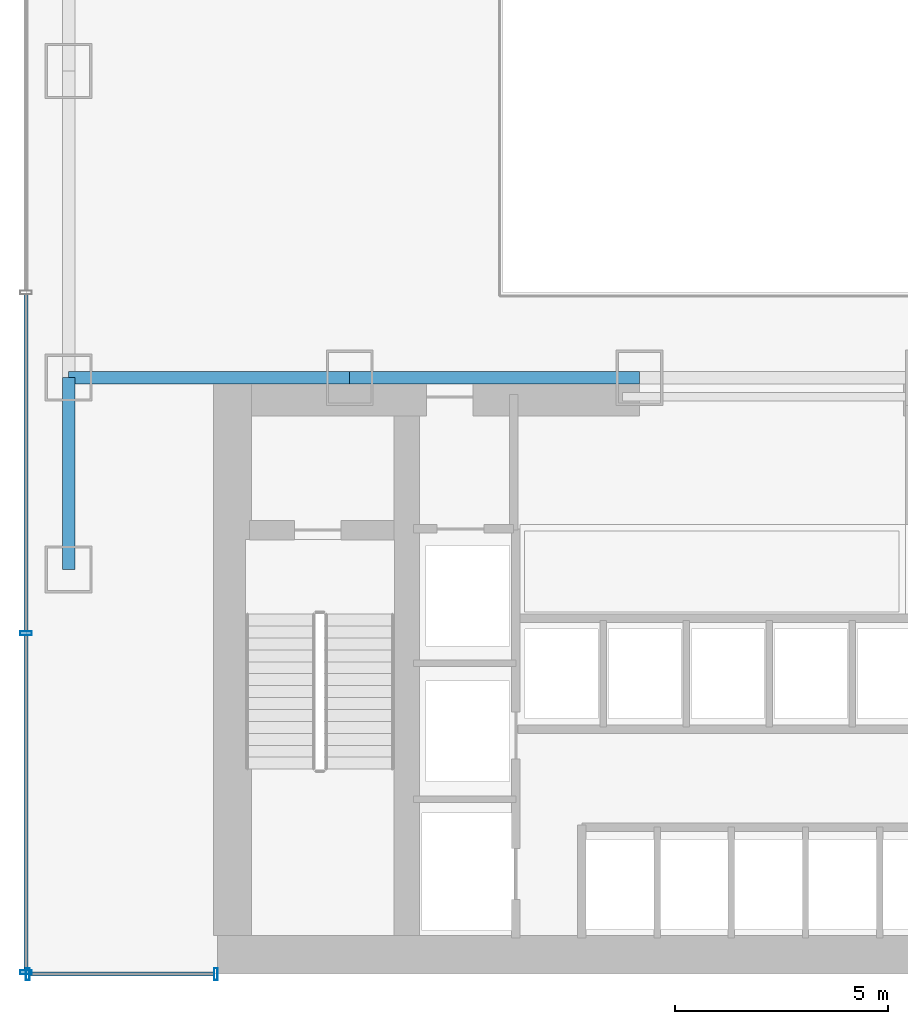
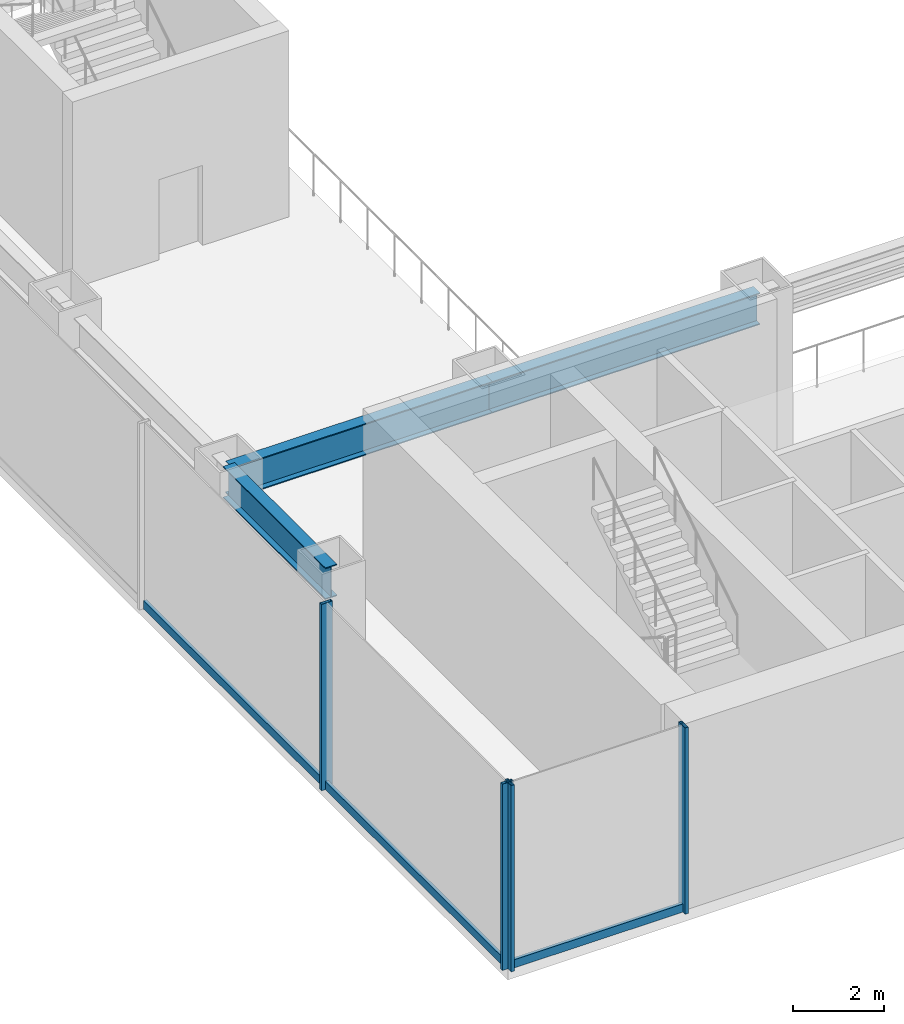
# One storey, part 6 of 39: 7 members, 3 beams, 2 elements without a shape of their own.
"""IFC4 building model written with IfcOpenShell, lengths in metres."""

from ifc_helpers import new_model, si_unit, derived_unit, direction, frame, origin, origin_2d, place, context, subcontext, project, spatial, hollow_rectangle, i_section, extrude, source, transform, mapped, material, material_profile, profile_set, type_object, element, aggregate, save


model = new_model("IFC4")

# Units and contexts
model_context = context("Model", 3, precision=1e-05, world=origin(), true_north=direction((0.0, 1.0)))
body_context = subcontext(model_context, "Body", "Model", "MODEL_VIEW")
ifc_project = project(units=[si_unit("LENGTHUNIT", "METRE"), si_unit("AREAUNIT", "SQUARE_METRE"), si_unit("VOLUMEUNIT", "CUBIC_METRE"), si_unit("PLANEANGLEUNIT", "RADIAN"), si_unit("MASSUNIT", "GRAM", prefix="KILO"), derived_unit("THERMALTRANSMITTANCEUNIT", [(si_unit("POWERUNIT", "WATT"), 1), (si_unit("LENGTHUNIT", "METRE"), -2), (si_unit("THERMODYNAMICTEMPERATUREUNIT", "KELVIN"), -1)])], contexts=[model_context])

# Site, building, storey
site_placement = place(None, origin())
site = spatial("IfcSite", under=ifc_project, at=site_placement, CompositionType="ELEMENT")
building_placement = place(site_placement, origin())
building = spatial("IfcBuilding", under=site, at=building_placement, Name="Skarnbrae Concourse Arena and Tower", CompositionType="ELEMENT")
storey_placement = place(building_placement, frame((0.0, 0.0, 16.0)))
storey = spatial("IfcBuildingStorey", under=building, at=storey_placement, Name="L03", CompositionType="ELEMENT", Elevation=16.0)

# Beams
ifc_material_1 = material(Name="Steel CSA G40.21 350W", Category="steel")
ifc_material_profile_1 = material_profile(ifc_material_1, i_section(OverallWidth=0.2939453125, OverallDepth=0.85107421875, WebThickness=0.01611328125, FlangeThickness=0.02685546875, at=origin_2d()), Name="W840X226")
ifc_profile_set_1 = profile_set([ifc_material_profile_1], Name="Steel CSA G40.21 350W")
beam_type = type_object("IfcBeamType", Name="BM-GIRD-W840X226", PredefinedType="BEAM", material=ifc_profile_set_1)
shared_shape_1 = source(origin(), body_context, "Body", "SweptSolid", [
    extrude(i_section(OverallWidth=0.2939453125, OverallDepth=0.85107421875, WebThickness=0.01611328125, FlangeThickness=0.02685546875, at=origin_2d()), origin(), (0.0, 0.0, 1.0), 6.60009765625),
])
beam_1_placement = place(storey_placement, frame((1.0, 14.0, 4.2744140625), z_axis=(1.0, 0.0, 0.0), x_axis=(0.0, 1.0, 0.0)))
element("IfcBeam", 1, at=beam_1_placement, inside=storey, type_object=beam_type, Name="L03 Podium south spine girder 1", PredefinedType="BEAM", context=body_context, shape_type="MappedRepresentation", body=[
    mapped(shared_shape_1, transform((0.0, 0.0, 0.0))),
])
shared_shape_2 = source(origin(), body_context, "Body", "SweptSolid", [
    extrude(i_section(OverallWidth=0.2939453125, OverallDepth=0.85107421875, WebThickness=0.01611328125, FlangeThickness=0.02685546875, at=origin_2d()), origin(), (0.0, 0.0, 1.0), 6.7998046875),
])
beam_2_placement = place(storey_placement, frame((7.60009765625, 14.0, 4.2744140625), z_axis=(1.0, 0.0, 0.0), x_axis=(0.0, 1.0, 0.0)))
element("IfcBeam", 2, at=beam_2_placement, inside=storey, type_object=beam_type, Name="L03 Podium south spine girder 2", PredefinedType="BEAM", context=body_context, shape_type="MappedRepresentation", body=[
    mapped(shared_shape_2, transform((0.0, 0.0, 0.0))),
])
shared_shape_3 = source(origin(), body_context, "Body", "SweptSolid", [
    extrude(i_section(OverallWidth=0.2939453125, OverallDepth=0.85107421875, WebThickness=0.01611328125, FlangeThickness=0.02685546875, at=origin_2d()), origin(), (0.0, 0.0, 1.0), 4.5),
])
beam_3_placement = place(storey_placement, frame((1.0, 9.5, 4.2744140625), z_axis=(0.0, 1.0, 0.0), x_axis=(-1.0, 0.0, 0.0)))
element("IfcBeam", 3, at=beam_3_placement, inside=storey, type_object=beam_type, Name="L03 Podium west girder 1", PredefinedType="BEAM", context=body_context, shape_type="MappedRepresentation", body=[
    mapped(shared_shape_3, transform((0.0, 0.0, 0.0))),
])

# Curtain wall, members
ifc_material_2 = material(Name="Bronze anodised aluminium 6063-T6", Category="aluminium")
curtain_wall_type = type_object("IfcCurtainWallType", Name="CW-SYS-01-PODIUM", PredefinedType="USERDEFINED", material=ifc_material_2)
curtain_wall_1_placement = place(storey_placement, origin())
curtain_wall_1 = element("IfcCurtainWall", 4, at=curtain_wall_1_placement, inside=storey, type_object=curtain_wall_type, Name="L03 Unitised curtain wall CW-L03-SW", ObjectType="UNITISED CURTAIN WALL", PredefinedType="USERDEFINED")
ifc_material_profile_2 = material_profile(ifc_material_2, hollow_rectangle(XDim=0.0849609375, YDim=0.280029296875, WallThickness=0.006103515625, at=origin_2d()), Name="ALU-MULL-85X280")
ifc_profile_set_2 = profile_set([ifc_material_profile_2], Name="Bronze anodised aluminium 6063-T6")
member_type_1 = type_object("IfcMemberType", Name="CWM-CW-01", PredefinedType="MULLION", material=ifc_profile_set_2)
shared_shape_4 = source(origin(), body_context, "Body", "SweptSolid", [
    extrude(hollow_rectangle(XDim=0.0849609375, YDim=0.280029296875, WallThickness=0.006103515625, at=origin_2d()), origin(), (0.0, 0.0, 1.0), 5.0),
])
member_1_placement = place(storey_placement, frame((0.04248046875, 0.0, 0.0), z_axis=(0.0, 0.0, 1.0), x_axis=(1.0, 0.0, 0.0)))
member_1 = element("IfcMember", 5, at=member_1_placement, type_object=member_type_1, Name="CW-L03-SW Mullion 1", PredefinedType="MULLION", context=body_context, shape_type="MappedRepresentation", body=[
    mapped(shared_shape_4, transform((0.0, 0.0, 0.0))),
])
member_2_placement = place(storey_placement, frame((4.45751953125, 0.0, 0.0), z_axis=(0.0, 0.0, 1.0), x_axis=(1.0, 0.0, 0.0)))
member_2 = element("IfcMember", 6, at=member_2_placement, type_object=member_type_1, Name="CW-L03-SW Mullion 2", PredefinedType="MULLION", context=body_context, shape_type="MappedRepresentation", body=[
    mapped(shared_shape_4, transform((0.0, 0.0, 0.0))),
])

curtain_wall_2_placement = place(storey_placement, origin())
curtain_wall_2 = element("IfcCurtainWall", 7, at=curtain_wall_2_placement, inside=storey, type_object=curtain_wall_type, Name="L03 Unitised curtain wall CW-L03-W", ObjectType="UNITISED CURTAIN WALL", PredefinedType="USERDEFINED")
member_3_placement = place(storey_placement, frame((0.0, 8.0, 0.0), z_axis=(0.0, 0.0, 1.0), x_axis=(0.0, -1.0, 0.0)))
member_3 = element("IfcMember", 8, at=member_3_placement, type_object=member_type_1, Name="CW-L03-W Mullion 7", PredefinedType="MULLION", context=body_context, shape_type="MappedRepresentation", body=[
    mapped(shared_shape_4, transform((0.0, 0.0, 0.0))),
])
member_4_placement = place(storey_placement, frame((0.0, 0.04248046875, 0.0), z_axis=(0.0, 0.0, 1.0), x_axis=(0.0, -1.0, 0.0)))
member_4 = element("IfcMember", 9, at=member_4_placement, type_object=member_type_1, Name="CW-L03-W Mullion 8", PredefinedType="MULLION", context=body_context, shape_type="MappedRepresentation", body=[
    mapped(shared_shape_4, transform((0.0, 0.0, 0.0))),
])
ifc_material_profile_3 = material_profile(ifc_material_2, hollow_rectangle(XDim=0.0849609375, YDim=0.219970703125, WallThickness=0.006103515625, at=origin_2d()), Name="ALU-TRAN-85X220")
ifc_profile_set_3 = profile_set([ifc_material_profile_3], Name="Bronze anodised aluminium 6063-T6")
member_type_2 = type_object("IfcMemberType", Name="CWT-CW-01", PredefinedType="USERDEFINED", material=ifc_profile_set_3)
shared_shape_5 = source(origin(), body_context, "Body", "SweptSolid", [
    extrude(hollow_rectangle(XDim=0.0849609375, YDim=0.219970703125, WallThickness=0.006103515625, at=origin_2d()), origin(), (0.0, 0.0, 1.0), 7.87255859375),
])
member_5_placement = place(storey_placement, frame((0.0, 7.95751953125, 0.110107421875), z_axis=(0.0, -1.0, 0.0), x_axis=(1.0, 0.0, 0.0)))
member_5 = element("IfcMember", 10, at=member_5_placement, type_object=member_type_2, Name="CW-L03-W Transom 7", ObjectType="TRANSOM", PredefinedType="USERDEFINED", context=body_context, shape_type="MappedRepresentation", body=[
    mapped(shared_shape_5, transform((0.0, 0.0, 0.0))),
])
shared_shape_6 = source(origin(), body_context, "Body", "SweptSolid", [
    extrude(hollow_rectangle(XDim=0.0849609375, YDim=0.219970703125, WallThickness=0.006103515625, at=origin_2d()), origin(), (0.0, 0.0, 1.0), 7.9150390625),
])
member_6_placement = place(storey_placement, frame((0.0, 15.95751953125, 0.110107421875), z_axis=(0.0, -1.0, 0.0), x_axis=(1.0, 0.0, 0.0)))
member_6 = element("IfcMember", 11, at=member_6_placement, type_object=member_type_2, Name="CW-L03-W Transom 6", ObjectType="TRANSOM", PredefinedType="USERDEFINED", context=body_context, shape_type="MappedRepresentation", body=[
    mapped(shared_shape_6, transform((0.0, 0.0, 0.0))),
])
aggregate(curtain_wall_2, [member_3, member_4, member_6, member_5])

# Member
shared_shape_7 = source(origin(), body_context, "Body", "SweptSolid", [
    extrude(hollow_rectangle(XDim=0.0849609375, YDim=0.219970703125, WallThickness=0.006103515625, at=origin_2d()), origin(), (0.0, 0.0, 1.0), 4.330078125),
])
member_7_placement = place(storey_placement, frame((0.0849609375, 0.0, 0.110107421875), z_axis=(1.0, 0.0, 0.0), x_axis=(0.0, 1.0, 0.0)))
member_7 = element("IfcMember", 12, at=member_7_placement, type_object=member_type_2, Name="CW-L03-SW Transom 1", ObjectType="TRANSOM", PredefinedType="USERDEFINED", context=body_context, shape_type="MappedRepresentation", body=[
    mapped(shared_shape_7, transform((0.0, 0.0, 0.0))),
])

aggregate(curtain_wall_1, [member_1, member_2, member_7])

save(model, "model.ifc")
